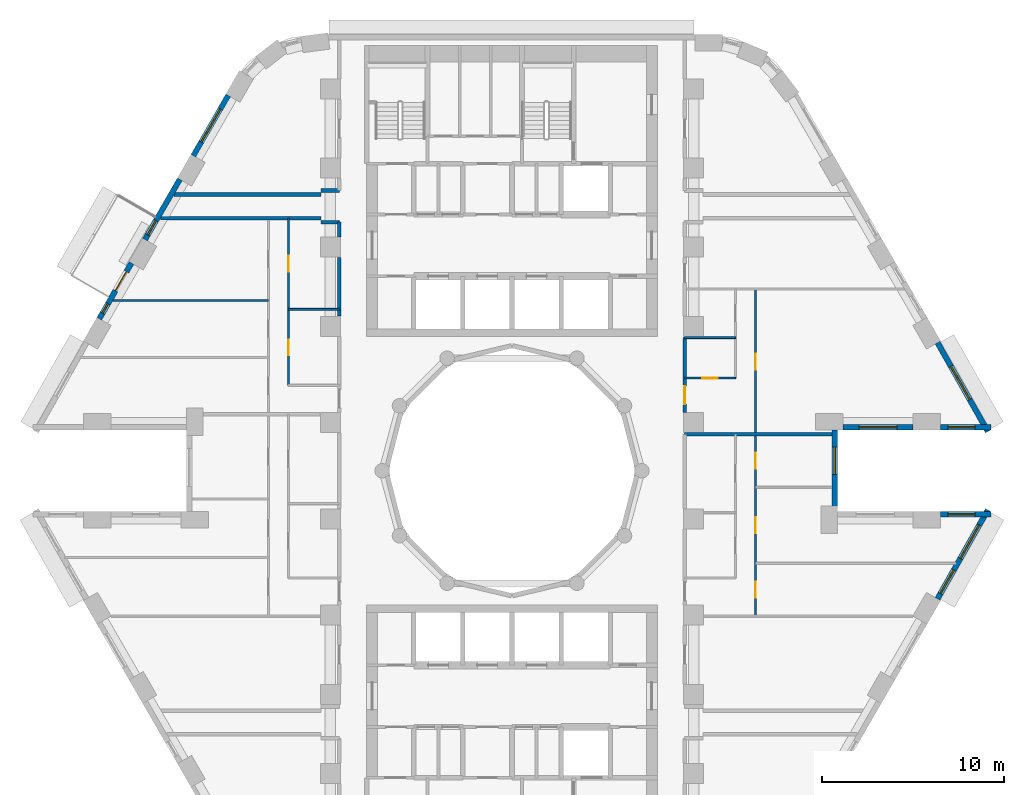
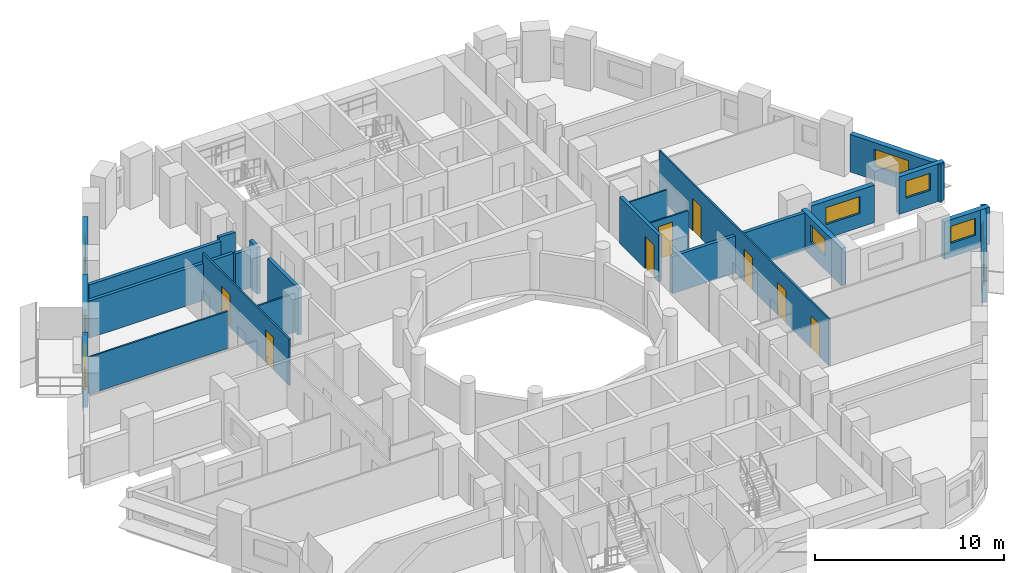
# One storey, part 6 of 13: 23 walls, 10 windows, 9 doors, 19 openings.
"""IFC4 building model written with IfcOpenShell, lengths in metres."""

from ifc_helpers import new_model, si_unit, direction, frame, frame_2d, origin, place, context, subcontext, project, spatial, rectangle, extrude, material, layer, layer_set, type_object, element, fill, save


model = new_model("IFC4")

# Units and contexts
model_context = context("Model", 3, precision=1e-05, world=origin(), true_north=direction((0.0, 1.0)))
body_context = subcontext(model_context, "Body", "Model", "MODEL_VIEW")
ifc_project = project(units=[si_unit("LENGTHUNIT", "METRE"), si_unit("AREAUNIT", "SQUARE_METRE"), si_unit("VOLUMEUNIT", "CUBIC_METRE"), si_unit("PLANEANGLEUNIT", "RADIAN"), si_unit("MASSUNIT", "GRAM", prefix="KILO")], contexts=[model_context])

# Site, building, storey
site_placement = place(None, origin())
site = spatial("IfcSite", under=ifc_project, at=site_placement, CompositionType="ELEMENT")
building_placement = place(site_placement, origin())
building = spatial("IfcBuilding", under=site, at=building_placement, Name="Nakaniwa Court", CompositionType="ELEMENT")
storey_placement = place(building_placement, frame((0.0, 0.0, 41.39990234375)))
storey = spatial("IfcBuildingStorey", under=building, at=storey_placement, Name="L10", CompositionType="ELEMENT", Elevation=41.39990234375)

# Wall, opening, door
ifc_material_1 = material(Name="Acoustic double stud partition")
ifc_layer_1 = layer(ifc_material_1, 0.199951171875)
ifc_layer_set_1 = layer_set([ifc_layer_1], Name="Acoustic double stud partition")
wall_type_1 = type_object("IfcWallType", Name="Acoustic double stud partition 200", PredefinedType="PARTITIONING", material=ifc_layer_set_1)
wall_1_placement = place(storey_placement, frame((89.5, 87.330322265625, 0.0), z_axis=(0.0, 0.0, 1.0), x_axis=(0.0, -1.0, 0.0)))
wall_1 = element("IfcWall", 1, at=wall_1_placement, inside=storey, type_object=wall_type_1, Name="Partition PW-079", PredefinedType="PARTITIONING", context=body_context, shape_type="SweptSolid", body=[
    extrude(rectangle(XDim=4.11328125, YDim=0.199951171875, at=frame_2d((2.056640625, 0.0))), origin(), (0.0, 0.0, 1.0), 3.025146484375),
])
opening_1_placement = place(wall_1_placement, frame((2.669921875, 0.0, 0.0)))
opening_1 = element("IfcOpeningElement", 2, at=opening_1_placement, cuts=wall_1, Name="Opening D-01-02", PredefinedType="OPENING", context=body_context, shape_type="SweptSolid", body=[
    extrude(rectangle(XDim=1.0, YDim=2.10009765625, at=frame_2d((0.5, 1.050048828125))), frame((0.0, 0.10986328125, 0.0), z_axis=(0.0, -1.0, 0.0), x_axis=(1.0, 0.0, 0.0)), (0.0, 0.0, 1.0), 0.219970703125),
])
ifc_material_2 = material(Name="Solid core timber door set, black veneer", Category="wood")
door_type_1 = type_object("IfcDoorType", Name="Flat entrance door 1000", OperationType="NOTDEFINED", PredefinedType="DOOR", material=ifc_material_2)
door_1_placement = place(opening_1_placement, origin())
door_1 = element("IfcDoor", 3, at=door_1_placement, inside=storey, type_object=door_type_1, Name="Door D-01-02 L10-038", OperationType="SINGLE_SWING_LEFT", OverallHeight=2.10009765625, OverallWidth=1.0, PredefinedType="DOOR", context=body_context, shape_type="SweptSolid", body=[
    extrude(rectangle(XDim=1.0, YDim=2.10009765625, at=frame_2d((0.5, 1.050048828125))), frame((0.0, 0.02490234375, 0.0), z_axis=(0.0, -1.0, 0.0), x_axis=(1.0, 0.0, 0.0)), (0.0, 0.0, 1.0), 0.050048828125),
])
fill(opening_1, door_1)

# Walls
wall_2_placement = place(storey_placement, frame((69.5, 95.425048828125, 0.0), z_axis=(0.0, 0.0, 1.0), x_axis=(1.0, 0.0, 0.0)))
element("IfcWall", 4, at=wall_2_placement, inside=storey, type_object=wall_type_1, Name="Partition PW-085", PredefinedType="PARTITIONING", context=body_context, shape_type="SweptSolid", body=[
    extrude(rectangle(XDim=1.0, YDim=0.199951171875, at=frame_2d((0.5, 0.0))), origin(), (0.0, 0.0, 1.0), 2.505126953125),
])
wall_3_placement = place(storey_placement, frame((61.4091796875, 95.199951171875, 0.0), z_axis=(0.0, 0.0, 1.0), x_axis=(1.0, 0.0, 0.0)))
element("IfcWall", 5, at=wall_3_placement, inside=storey, type_object=wall_type_1, Name="Partition PW-087", PredefinedType="PARTITIONING", context=body_context, shape_type="SweptSolid", body=[
    extrude(rectangle(XDim=8.0908203125, YDim=0.199951171875, at=frame_2d((4.04541015625, 0.0))), origin(), (0.0, 0.0, 1.0), 2.405029296875),
])
wall_4_placement = place(storey_placement, frame((60.65869140625, 93.89990234375, 0.0), z_axis=(0.0, 0.0, 1.0), x_axis=(1.0, 0.0, 0.0)))
element("IfcWall", 6, at=wall_4_placement, inside=storey, type_object=wall_type_1, Name="Partition PW-089", PredefinedType="PARTITIONING", context=body_context, shape_type="SweptSolid", body=[
    extrude(rectangle(XDim=8.84130859375, YDim=0.199951171875, at=frame_2d((4.420654296875, 0.0))), origin(), (0.0, 0.0, 1.0), 2.405029296875),
])
wall_5_placement = place(storey_placement, frame((69.5, 93.675048828125, 0.0), z_axis=(0.0, 0.0, 1.0), x_axis=(1.0, 0.0, 0.0)))
element("IfcWall", 7, at=wall_5_placement, inside=storey, type_object=wall_type_1, Name="Partition PW-091", PredefinedType="PARTITIONING", context=body_context, shape_type="SweptSolid", body=[
    extrude(rectangle(XDim=1.0, YDim=0.199951171875, at=frame_2d((0.5, 0.0))), origin(), (0.0, 0.0, 1.0), 2.505126953125),
])
wall_6_placement = place(storey_placement, frame((70.5, 88.51708984375, 0.0), z_axis=(0.0, 0.0, 1.0), x_axis=(0.0, 1.0, 0.0)))
element("IfcWall", 8, at=wall_6_placement, inside=storey, type_object=wall_type_1, Name="Partition PW-108", PredefinedType="PARTITIONING", context=body_context, shape_type="SweptSolid", body=[
    extrude(rectangle(XDim=3.2158203125, YDim=0.199951171875, at=frame_2d((1.60791015625, 0.0))), origin(), (0.0, 0.0, 1.0), 3.025146484375),
])
wall_7_placement = place(storey_placement, frame((70.5, 92.866943359375, 0.0), z_axis=(0.0, 0.0, 1.0), x_axis=(0.0, 1.0, 0.0)))
element("IfcWall", 9, at=wall_7_placement, inside=storey, type_object=wall_type_1, Name="Partition PW-109", PredefinedType="PARTITIONING", context=body_context, shape_type="SweptSolid", body=[
    extrude(rectangle(XDim=0.81103515625, YDim=0.199951171875, at=frame_2d((0.405517578125, 0.0))), origin(), (0.0, 0.0, 1.0), 3.025146484375),
])
wall_8_placement = place(storey_placement, frame((89.5, 82.0, 0.0), z_axis=(0.0, 0.0, 1.0), x_axis=(1.0, 0.0, 0.0)))
element("IfcWall", 10, at=wall_8_placement, inside=storey, type_object=wall_type_1, Name="Partition PW-118", PredefinedType="PARTITIONING", context=body_context, shape_type="SweptSolid", body=[
    extrude(rectangle(XDim=8.1083984375, YDim=0.199951171875, at=frame_2d((4.05419921875, 0.0))), origin(), (0.0, 0.0, 1.0), 2.405029296875),
])

# Wall, opening, window
ifc_material_3 = material(Name="Charcoal ceramic cladding")
ifc_layer_2 = layer(ifc_material_3, 0.02, Name="Ceramic cladding")
ifc_material_4 = material(Name="Ventilated air cavity")
ifc_layer_3 = layer(ifc_material_4, 0.04, ventilated=True, Name="Ventilated cavity")
ifc_material_5 = material(Name="Mineral wool insulation")
ifc_layer_4 = layer(ifc_material_5, 0.1, Name="Insulation")
ifc_material_6 = material(Name="Cement bonded sheathing board")
ifc_layer_5 = layer(ifc_material_6, 0.012, Name="Sheathing")
ifc_material_7 = material(Name="Cold-formed galvanised stud frame with mineral wool infill")
ifc_layer_6 = layer(ifc_material_7, 0.1, Name="Stud frame")
ifc_material_8 = material(Name="Fire-rated gypsum plasterboard lining")
ifc_layer_7 = layer(ifc_material_8, 0.028, Name="Lining")
ifc_layer_set_2 = layer_set([ifc_layer_2, ifc_layer_3, ifc_layer_4, ifc_layer_5, ifc_layer_6, ifc_layer_7], Name="Charcoal ceramic faced external wall system")
wall_type_2 = type_object("IfcWallType", Name="Black ceramic faced external wall 300", PredefinedType="SOLIDWALL", material=ifc_layer_set_2)
wall_9_placement = place(storey_placement, frame((98.204345703125, 82.39990234375, 0.0), z_axis=(0.0, 0.0, 1.0), x_axis=(1.0, 0.0, 0.0)))
wall_9 = element("IfcWall", 11, at=wall_9_placement, inside=storey, type_object=wall_type_2, Name="L10 external wall 00", PredefinedType="SOLIDWALL", context=body_context, shape_type="SweptSolid", body=[
    extrude(rectangle(XDim=3.87255859375, YDim=0.300048828125, at=frame_2d((1.936279296875, 0.0))), origin(), (0.0, 0.0, 1.0), 2.425048828125),
])
opening_2_placement = place(wall_9_placement, frame((0.88623046875, 0.0, 0.89990234375)))
opening_2 = element("IfcOpeningElement", 12, at=opening_2_placement, cuts=wall_9, Name="Opening W7.01", PredefinedType="OPENING", context=body_context, shape_type="SweptSolid", body=[
    extrude(rectangle(XDim=2.10009765625, YDim=1.10009765625, at=frame_2d((1.050048828125, 0.550048828125))), frame((0.0, 0.159912109375, 0.0), z_axis=(0.0, -1.0, 0.0), x_axis=(1.0, 0.0, 0.0)), (0.0, 0.0, 1.0), 0.320068359375),
])
ifc_material_9 = material(Name="Black anodised aluminium frame with dark low-E laminated double glazing", Category="aluminium")
window_type_1 = type_object("IfcWindowType", Name="Dark glass window 2100x1100 sill 900", PartitioningType="SINGLE_PANEL", PredefinedType="WINDOW", material=ifc_material_9)
window_1_placement = place(opening_2_placement, origin())
window_1 = element("IfcWindow", 13, at=window_1_placement, inside=storey, type_object=window_type_1, Name="L10 living window 00-0", OverallHeight=1.10009765625, OverallWidth=2.10009765625, PartitioningType="SINGLE_PANEL", PredefinedType="WINDOW", context=body_context, shape_type="SweptSolid", body=[
    extrude(rectangle(XDim=2.10009765625, YDim=1.10009765625, at=frame_2d((1.050048828125, 0.550048828125))), frame((0.0, 0.030029296875, 0.0), z_axis=(0.0, -1.0, 0.0), x_axis=(1.0, 0.0, 0.0)), (0.0, 0.0, 1.0), 0.06005859375),
])
fill(opening_2, window_1)

wall_10_placement = place(storey_placement, frame((103.56884765625, 82.39990234375, 0.0), z_axis=(0.0, 0.0, 1.0), x_axis=(1.0, 0.0, 0.0)))
wall_10 = element("IfcWall", 14, at=wall_10_placement, inside=storey, type_object=wall_type_2, Name="L10 external wall 01", PredefinedType="SOLIDWALL", context=body_context, shape_type="SweptSolid", body=[
    extrude(rectangle(XDim=2.787841796875, YDim=0.300048828125, at=frame_2d((1.39404296875, 0.0))), origin(), (0.0, 0.0, 1.0), 2.425048828125),
])
opening_3_placement = place(wall_10_placement, frame((0.4189453125, 0.0, 0.89990234375)))
opening_3 = element("IfcOpeningElement", 15, at=opening_3_placement, cuts=wall_10, Name="Opening W5.02", PredefinedType="OPENING", context=body_context, shape_type="SweptSolid", body=[
    extrude(rectangle(XDim=1.5, YDim=1.10009765625, at=frame_2d((0.75, 0.550048828125))), frame((0.0, 0.159912109375, 0.0), z_axis=(0.0, -1.0, 0.0), x_axis=(1.0, 0.0, 0.0)), (0.0, 0.0, 1.0), 0.320068359375),
])
window_type_2 = type_object("IfcWindowType", Name="Dark glass window 1500x1100 sill 900", PartitioningType="SINGLE_PANEL", PredefinedType="WINDOW", material=ifc_material_9)
window_2_placement = place(opening_3_placement, origin())
window_2 = element("IfcWindow", 16, at=window_2_placement, inside=storey, type_object=window_type_2, Name="L10 living window 01-0", OverallHeight=1.10009765625, OverallWidth=1.5, PartitioningType="SINGLE_PANEL", PredefinedType="WINDOW", context=body_context, shape_type="SweptSolid", body=[
    extrude(rectangle(XDim=1.5, YDim=1.10009765625, at=frame_2d((0.75, 0.550048828125))), frame((0.0, 0.030029296875, 0.0), z_axis=(0.0, -1.0, 0.0), x_axis=(1.0, 0.0, 0.0)), (0.0, 0.0, 1.0), 0.06005859375),
])
fill(opening_3, window_2)

wall_11_placement = place(storey_placement, frame((106.18603515625, 82.1533203125, 0.0), z_axis=(0.0, 0.0, 1.0), x_axis=(-0.492363204642, 0.870389840655, 0.0)))
wall_11 = element("IfcWall", 17, at=wall_11_placement, inside=storey, type_object=wall_type_2, Name="L10 external wall 02", PredefinedType="SOLIDWALL", context=body_context, shape_type="SweptSolid", body=[
    extrude(rectangle(XDim=5.62646484375, YDim=0.300048828125, at=frame_2d((2.813232421875, 0.0))), origin(), (0.0, 0.0, 1.0), 2.425048828125),
])
opening_4_placement = place(wall_11_placement, frame((2.0263671875, 0.0, 0.89990234375)))
opening_4 = element("IfcOpeningElement", 18, at=opening_4_placement, cuts=wall_11, Name="Opening W7.03", PredefinedType="OPENING", context=body_context, shape_type="SweptSolid", body=[
    extrude(rectangle(XDim=2.10009765625, YDim=1.10009765625, at=frame_2d((1.050048828125, 0.550048828125))), frame((0.0, 0.159912109375, 0.0), z_axis=(0.0, -1.0, 0.0), x_axis=(1.0, 0.0, 0.0)), (0.0, 0.0, 1.0), 0.320068359375),
])
window_3_placement = place(opening_4_placement, origin())
window_3 = element("IfcWindow", 19, at=window_3_placement, inside=storey, type_object=window_type_1, Name="L10 living window 02-0", OverallHeight=1.10009765625, OverallWidth=2.10009765625, PartitioningType="SINGLE_PANEL", PredefinedType="WINDOW", context=body_context, shape_type="SweptSolid", body=[
    extrude(rectangle(XDim=2.10009765625, YDim=1.10009765625, at=frame_2d((1.050048828125, 0.550048828125))), frame((0.0, 0.030029296875, 0.0), z_axis=(0.0, -1.0, 0.0), x_axis=(1.0, 0.0, 0.0)), (0.0, 0.0, 1.0), 0.06005859375),
])
fill(opening_4, window_3)

wall_12_placement = place(storey_placement, frame((64.384765625, 100.653564453125, 0.0), z_axis=(0.0, 0.0, 1.0), x_axis=(-0.499974163209, -0.866040320149, 0.0)))
wall_12 = element("IfcWall", 20, at=wall_12_placement, inside=storey, type_object=wall_type_2, Name="L10 external wall 11", PredefinedType="SOLIDWALL", context=body_context, shape_type="SweptSolid", body=[
    extrude(rectangle(XDim=3.834228515625, YDim=0.300048828125, at=frame_2d((1.9169921875, 0.0))), origin(), (0.0, 0.0, 1.0), 2.425048828125),
])
opening_5_placement = place(wall_12_placement, frame((0.866943359375, 0.0, 0.89990234375)))
opening_5 = element("IfcOpeningElement", 21, at=opening_5_placement, cuts=wall_12, Name="Opening W7.12", PredefinedType="OPENING", context=body_context, shape_type="SweptSolid", body=[
    extrude(rectangle(XDim=2.10009765625, YDim=1.10009765625, at=frame_2d((1.050048828125, 0.550048828125))), frame((0.0, 0.159912109375, 0.0), z_axis=(0.0, -1.0, 0.0), x_axis=(1.0, 0.0, 0.0)), (0.0, 0.0, 1.0), 0.320068359375),
])
window_4_placement = place(opening_5_placement, origin())
window_4 = element("IfcWindow", 22, at=window_4_placement, inside=storey, type_object=window_type_1, Name="L10 habitable room window 11-0", OverallHeight=1.10009765625, OverallWidth=2.10009765625, PartitioningType="SINGLE_PANEL", PredefinedType="WINDOW", context=body_context, shape_type="SweptSolid", body=[
    extrude(rectangle(XDim=2.10009765625, YDim=1.10009765625, at=frame_2d((1.050048828125, 0.550048828125))), frame((0.0, 0.030029296875, 0.0), z_axis=(0.0, -1.0, 0.0), x_axis=(1.0, 0.0, 0.0)), (0.0, 0.0, 1.0), 0.06005859375),
])
fill(opening_5, window_4)

wall_13_placement = place(storey_placement, frame((61.7216796875, 96.041015625, 0.0), z_axis=(0.0, 0.0, 1.0), x_axis=(-0.500001735503, -0.866024401789, 0.0)))
wall_13 = element("IfcWall", 23, at=wall_13_placement, inside=storey, type_object=wall_type_2, Name="L10 external wall 12", PredefinedType="SOLIDWALL", context=body_context, shape_type="SweptSolid", body=[
    extrude(rectangle(XDim=3.833984375, YDim=0.300048828125, at=frame_2d((1.9169921875, 0.0))), origin(), (0.0, 0.0, 1.0), 2.425048828125),
])
opening_6_placement = place(wall_13_placement, frame((2.629150390625, 0.0, 0.89990234375)))
opening_6 = element("IfcOpeningElement", 24, at=opening_6_placement, cuts=wall_13, Name="Opening W9.13", PredefinedType="OPENING", context=body_context, shape_type="SweptSolid", body=[
    extrude(rectangle(XDim=0.89990234375, YDim=1.10009765625, at=frame_2d((0.449951171875, 0.550048828125))), frame((0.0, 0.159912109375, 0.0), z_axis=(0.0, -1.0, 0.0), x_axis=(1.0, 0.0, 0.0)), (0.0, 0.0, 1.0), 0.320068359375),
])
window_type_3 = type_object("IfcWindowType", Name="Dark glass window 900x1100 sill 900", PartitioningType="SINGLE_PANEL", PredefinedType="WINDOW", material=ifc_material_9)
window_5_placement = place(opening_6_placement, origin())
window_5 = element("IfcWindow", 25, at=window_5_placement, inside=storey, type_object=window_type_3, Name="L10 living window 12-2", OverallHeight=1.10009765625, OverallWidth=0.89990234375, PartitioningType="SINGLE_PANEL", PredefinedType="WINDOW", context=body_context, shape_type="SweptSolid", body=[
    extrude(rectangle(XDim=0.89990234375, YDim=1.10009765625, at=frame_2d((0.449951171875, 0.550048828125))), frame((0.0, 0.030029296875, 0.0), z_axis=(0.0, -1.0, 0.0), x_axis=(1.0, 0.0, 0.0)), (0.0, 0.0, 1.0), 0.06005859375),
])
fill(opening_6, window_5)

# Wall, openings, door, window
wall_14_placement = place(storey_placement, frame((59.05859375, 91.4287109375, 0.0), z_axis=(0.0, 0.0, 1.0), x_axis=(-0.499977402622, -0.866038449993, 0.0)))
wall_14 = element("IfcWall", 26, at=wall_14_placement, inside=storey, type_object=wall_type_2, Name="L10 external wall 13", PredefinedType="SOLIDWALL", context=body_context, shape_type="SweptSolid", body=[
    extrude(rectangle(XDim=3.536865234375, YDim=0.300048828125, at=frame_2d((1.7685546875, 0.0))), origin(), (0.0, 0.0, 1.0), 2.425048828125),
])
opening_7_placement = place(wall_14_placement, frame((0.55078125, 0.0, 0.0)))
opening_7 = element("IfcOpeningElement", 27, at=opening_7_placement, cuts=wall_14, Name="Opening XD10.01", PredefinedType="OPENING", context=body_context, shape_type="SweptSolid", body=[
    extrude(rectangle(XDim=1.199951171875, YDim=2.0, at=frame_2d((0.60009765625, 1.0))), frame((0.0, 0.159912109375, 0.0), z_axis=(0.0, -1.0, 0.0), x_axis=(1.0, 0.0, 0.0)), (0.0, 0.0, 1.0), 0.320068359375),
])
opening_8_placement = place(wall_14_placement, frame((2.582275390625, 0.0, 0.89990234375)))
opening_8 = element("IfcOpeningElement", 28, at=opening_8_placement, cuts=wall_14, Name="Opening W8.14", PredefinedType="OPENING", context=body_context, shape_type="SweptSolid", body=[
    extrude(rectangle(XDim=0.60009765625, YDim=1.10009765625, at=frame_2d((0.300048828125, 0.550048828125))), frame((0.0, 0.159912109375, 0.0), z_axis=(0.0, -1.0, 0.0), x_axis=(1.0, 0.0, 0.0)), (0.0, 0.0, 1.0), 0.320068359375),
])
ifc_material_10 = material(Name="Black powder-coated aluminium frame with dark laminated glass", Category="aluminium")
door_type_2 = type_object("IfcDoorType", Name="Balcony sliding door 1200x2000", OperationType="SLIDING_TO_LEFT", PredefinedType="DOOR", material=ifc_material_10)
door_2_placement = place(opening_7_placement, origin())
door_2 = element("IfcDoor", 29, at=door_2_placement, inside=storey, type_object=door_type_2, Name="L10 balcony sliding door 01", OperationType="SLIDING_TO_LEFT", OverallHeight=2.0, OverallWidth=1.199951171875, PredefinedType="DOOR", context=body_context, shape_type="SweptSolid", body=[
    extrude(rectangle(XDim=1.199951171875, YDim=2.0, at=frame_2d((0.60009765625, 1.0))), frame((0.0, 0.02490234375, 0.0), z_axis=(0.0, -1.0, 0.0), x_axis=(1.0, 0.0, 0.0)), (0.0, 0.0, 1.0), 0.050048828125),
])
fill(opening_7, door_2)
window_type_4 = type_object("IfcWindowType", Name="Dark glass window 600x1100 sill 900", PartitioningType="SINGLE_PANEL", PredefinedType="WINDOW", material=ifc_material_9)
window_6_placement = place(opening_8_placement, origin())
window_6 = element("IfcWindow", 30, at=window_6_placement, inside=storey, type_object=window_type_4, Name="L10 bedroom window 13-1", OverallHeight=1.10009765625, OverallWidth=0.60009765625, PartitioningType="SINGLE_PANEL", PredefinedType="WINDOW", context=body_context, shape_type="SweptSolid", body=[
    extrude(rectangle(XDim=0.60009765625, YDim=1.10009765625, at=frame_2d((0.300048828125, 0.550048828125))), frame((0.0, 0.030029296875, 0.0), z_axis=(0.0, -1.0, 0.0), x_axis=(1.0, 0.0, 0.0)), (0.0, 0.0, 1.0), 0.06005859375),
])
fill(opening_8, window_6)

# Wall, openings, windows
wall_15_placement = place(storey_placement, frame((103.415771484375, 72.949462890625, 0.0), z_axis=(0.0, 0.0, 1.0), x_axis=(0.492363204642, 0.870389840655, 0.0)))
wall_15 = element("IfcWall", 31, at=wall_15_placement, inside=storey, type_object=wall_type_2, Name="L10 external wall 32", PredefinedType="SOLIDWALL", context=body_context, shape_type="SweptSolid", body=[
    extrude(rectangle(XDim=5.62646484375, YDim=0.300048828125, at=frame_2d((2.813232421875, 0.0))), origin(), (0.0, 0.0, 1.0), 2.425048828125),
])
opening_9_placement = place(wall_15_placement, frame((0.337158203125, 0.0, 0.89990234375)))
opening_9 = element("IfcOpeningElement", 32, at=opening_9_placement, cuts=wall_15, Name="Opening W5.31", PredefinedType="OPENING", context=body_context, shape_type="SweptSolid", body=[
    extrude(rectangle(XDim=1.5, YDim=1.10009765625, at=frame_2d((0.75, 0.550048828125))), frame((0.0, 0.159912109375, 0.0), z_axis=(0.0, -1.0, 0.0), x_axis=(1.0, 0.0, 0.0)), (0.0, 0.0, 1.0), 0.320068359375),
])
opening_10_placement = place(wall_15_placement, frame((2.5615234375, 0.0, 0.89990234375)))
opening_10 = element("IfcOpeningElement", 33, at=opening_10_placement, cuts=wall_15, Name="Opening W7.32", PredefinedType="OPENING", context=body_context, shape_type="SweptSolid", body=[
    extrude(rectangle(XDim=2.10009765625, YDim=1.10009765625, at=frame_2d((1.050048828125, 0.550048828125))), frame((0.0, 0.159912109375, 0.0), z_axis=(0.0, -1.0, 0.0), x_axis=(1.0, 0.0, 0.0)), (0.0, 0.0, 1.0), 0.320068359375),
])
window_7_placement = place(opening_9_placement, origin())
window_7 = element("IfcWindow", 34, at=window_7_placement, inside=storey, type_object=window_type_2, Name="L10 bedroom window 32-0", OverallHeight=1.10009765625, OverallWidth=1.5, PartitioningType="SINGLE_PANEL", PredefinedType="WINDOW", context=body_context, shape_type="SweptSolid", body=[
    extrude(rectangle(XDim=1.5, YDim=1.10009765625, at=frame_2d((0.75, 0.550048828125))), frame((0.0, 0.030029296875, 0.0), z_axis=(0.0, -1.0, 0.0), x_axis=(1.0, 0.0, 0.0)), (0.0, 0.0, 1.0), 0.06005859375),
])
fill(opening_9, window_7)
window_8_placement = place(opening_10_placement, origin())
window_8 = element("IfcWindow", 35, at=window_8_placement, inside=storey, type_object=window_type_1, Name="L10 living window 32-1", OverallHeight=1.10009765625, OverallWidth=2.10009765625, PartitioningType="SINGLE_PANEL", PredefinedType="WINDOW", context=body_context, shape_type="SweptSolid", body=[
    extrude(rectangle(XDim=2.10009765625, YDim=1.10009765625, at=frame_2d((1.050048828125, 0.550048828125))), frame((0.0, 0.030029296875, 0.0), z_axis=(0.0, -1.0, 0.0), x_axis=(1.0, 0.0, 0.0)), (0.0, 0.0, 1.0), 0.06005859375),
])
fill(opening_10, window_8)

# Wall, opening, window
wall_16_placement = place(storey_placement, frame((106.356689453125, 77.60009765625, 0.0), z_axis=(0.0, 0.0, 1.0), x_axis=(-1.0, 0.0, 0.0)))
wall_16 = element("IfcWall", 36, at=wall_16_placement, inside=storey, type_object=wall_type_2, Name="L10 external wall 33", PredefinedType="SOLIDWALL", context=body_context, shape_type="SweptSolid", body=[
    extrude(rectangle(XDim=2.787841796875, YDim=0.300048828125, at=frame_2d((1.39404296875, 0.0))), origin(), (0.0, 0.0, 1.0), 2.425048828125),
])
opening_11_placement = place(wall_16_placement, frame((0.868896484375, 0.0, 0.89990234375)))
opening_11 = element("IfcOpeningElement", 37, at=opening_11_placement, cuts=wall_16, Name="Opening W5.33", PredefinedType="OPENING", context=body_context, shape_type="SweptSolid", body=[
    extrude(rectangle(XDim=1.5, YDim=1.10009765625, at=frame_2d((0.75, 0.550048828125))), frame((0.0, 0.159912109375, 0.0), z_axis=(0.0, -1.0, 0.0), x_axis=(1.0, 0.0, 0.0)), (0.0, 0.0, 1.0), 0.320068359375),
])
window_9_placement = place(opening_11_placement, origin())
window_9 = element("IfcWindow", 38, at=window_9_placement, inside=storey, type_object=window_type_2, Name="L10 living window 33-0", OverallHeight=1.10009765625, OverallWidth=1.5, PartitioningType="SINGLE_PANEL", PredefinedType="WINDOW", context=body_context, shape_type="SweptSolid", body=[
    extrude(rectangle(XDim=1.5, YDim=1.10009765625, at=frame_2d((0.75, 0.550048828125))), frame((0.0, 0.030029296875, 0.0), z_axis=(0.0, -1.0, 0.0), x_axis=(1.0, 0.0, 0.0)), (0.0, 0.0, 1.0), 0.06005859375),
])
fill(opening_11, window_9)

wall_17_placement = place(storey_placement, frame((97.75830078125, 78.0458984375, 0.0), z_axis=(0.0, 0.0, 1.0), x_axis=(0.0, 1.0, 0.0)))
wall_17 = element("IfcWall", 39, at=wall_17_placement, inside=storey, type_object=wall_type_2, Name="L10 external wall 35", PredefinedType="SOLIDWALL", context=body_context, shape_type="SweptSolid", body=[
    extrude(rectangle(XDim=4.2080078125, YDim=0.300048828125, at=frame_2d((2.10400390625, 0.0))), origin(), (0.0, 0.0, 1.0), 2.425048828125),
])
opening_12_placement = place(wall_17_placement, frame((1.75244140625, 0.0, 0.89990234375)))
opening_12 = element("IfcOpeningElement", 40, at=opening_12_placement, cuts=wall_17, Name="Opening W5.35", PredefinedType="OPENING", context=body_context, shape_type="SweptSolid", body=[
    extrude(rectangle(XDim=1.5, YDim=1.10009765625, at=frame_2d((0.75, 0.550048828125))), frame((0.0, 0.159912109375, 0.0), z_axis=(0.0, -1.0, 0.0), x_axis=(1.0, 0.0, 0.0)), (0.0, 0.0, 1.0), 0.320068359375),
])
window_10_placement = place(opening_12_placement, origin())
window_10 = element("IfcWindow", 41, at=window_10_placement, inside=storey, type_object=window_type_2, Name="L10 bedroom window 35-1", OverallHeight=1.10009765625, OverallWidth=1.5, PartitioningType="SINGLE_PANEL", PredefinedType="WINDOW", context=body_context, shape_type="SweptSolid", body=[
    extrude(rectangle(XDim=1.5, YDim=1.10009765625, at=frame_2d((0.75, 0.550048828125))), frame((0.0, 0.030029296875, 0.0), z_axis=(0.0, -1.0, 0.0), x_axis=(1.0, 0.0, 0.0)), (0.0, 0.0, 1.0), 0.06005859375),
])
fill(opening_12, window_10)

# Wall, openings, doors
ifc_material_11 = material(Name="Single stud plasterboard partition")
ifc_layer_8 = layer(ifc_material_11, 0.10009765625)
ifc_layer_set_3 = layer_set([ifc_layer_8], Name="Single stud plasterboard partition")
wall_type_3 = type_object("IfcWallType", Name="Single stud plasterboard partition 100", PredefinedType="PARTITIONING", material=ifc_layer_set_3)
wall_18_placement = place(storey_placement, frame((93.39990234375, 90.0, 0.0), z_axis=(0.0, 0.0, 1.0), x_axis=(0.0, -1.0, 0.0)))
wall_18 = element("IfcWall", 42, at=wall_18_placement, inside=storey, type_object=wall_type_3, Name="Partition PW-119", PredefinedType="PARTITIONING", context=body_context, shape_type="SweptSolid", body=[
    extrude(rectangle(XDim=18.0, YDim=0.10009765625, at=frame_2d((9.0, 0.0))), origin(), (0.0, 0.0, 1.0), 3.025146484375),
])
opening_13_placement = place(wall_18_placement, frame((16.097900390625, 0.0, 0.0)))
opening_13 = element("IfcOpeningElement", 43, at=opening_13_placement, cuts=wall_18, Name="Opening D-33-02", PredefinedType="OPENING", context=body_context, shape_type="SweptSolid", body=[
    extrude(rectangle(XDim=0.89990234375, YDim=2.10009765625, at=frame_2d((0.449951171875, 1.050048828125))), frame((0.0, 0.06005859375, 0.0), z_axis=(0.0, -1.0, 0.0), x_axis=(1.0, 0.0, 0.0)), (0.0, 0.0, 1.0), 0.1201171875),
])
opening_14_placement = place(wall_18_placement, frame((12.550048828125, 0.0, 0.0)))
opening_14 = element("IfcOpeningElement", 44, at=opening_14_placement, cuts=wall_18, Name="Opening D-33-03", PredefinedType="OPENING", context=body_context, shape_type="SweptSolid", body=[
    extrude(rectangle(XDim=0.89990234375, YDim=2.10009765625, at=frame_2d((0.449951171875, 1.050048828125))), frame((0.0, 0.06005859375, 0.0), z_axis=(0.0, -1.0, 0.0), x_axis=(1.0, 0.0, 0.0)), (0.0, 0.0, 1.0), 0.1201171875),
])
opening_15_placement = place(wall_18_placement, frame((9.001953125, 0.0, 0.0)))
opening_15 = element("IfcOpeningElement", 45, at=opening_15_placement, cuts=wall_18, Name="Opening D-33-04", PredefinedType="OPENING", context=body_context, shape_type="SweptSolid", body=[
    extrude(rectangle(XDim=0.89990234375, YDim=2.10009765625, at=frame_2d((0.449951171875, 1.050048828125))), frame((0.0, 0.06005859375, 0.0), z_axis=(0.0, -1.0, 0.0), x_axis=(1.0, 0.0, 0.0)), (0.0, 0.0, 1.0), 0.1201171875),
])
opening_16_placement = place(wall_18_placement, frame((3.550048828125, 0.0, 0.0)))
opening_16 = element("IfcOpeningElement", 46, at=opening_16_placement, cuts=wall_18, Name="Opening D-33-06", PredefinedType="OPENING", context=body_context, shape_type="SweptSolid", body=[
    extrude(rectangle(XDim=0.89990234375, YDim=2.10009765625, at=frame_2d((0.449951171875, 1.050048828125))), frame((0.0, 0.06005859375, 0.0), z_axis=(0.0, -1.0, 0.0), x_axis=(1.0, 0.0, 0.0)), (0.0, 0.0, 1.0), 0.1201171875),
])
door_type_3 = type_object("IfcDoorType", Name="Internal door 900", OperationType="NOTDEFINED", PredefinedType="DOOR", material=ifc_material_2)
door_3_placement = place(opening_13_placement, origin())
door_3 = element("IfcDoor", 47, at=door_3_placement, inside=storey, type_object=door_type_3, Name="Door D-33-02 L10-035", OperationType="SINGLE_SWING_RIGHT", OverallHeight=2.10009765625, OverallWidth=0.89990234375, PredefinedType="DOOR", context=body_context, shape_type="SweptSolid", body=[
    extrude(rectangle(XDim=0.89990234375, YDim=2.10009765625, at=frame_2d((0.449951171875, 1.050048828125))), frame((0.0, 0.02490234375, 0.0), z_axis=(0.0, -1.0, 0.0), x_axis=(1.0, 0.0, 0.0)), (0.0, 0.0, 1.0), 0.050048828125),
])
fill(opening_13, door_3)
door_4_placement = place(opening_14_placement, origin())
door_4 = element("IfcDoor", 48, at=door_4_placement, inside=storey, type_object=door_type_3, Name="Door D-33-03 L10-036", OperationType="SINGLE_SWING_LEFT", OverallHeight=2.10009765625, OverallWidth=0.89990234375, PredefinedType="DOOR", context=body_context, shape_type="SweptSolid", body=[
    extrude(rectangle(XDim=0.89990234375, YDim=2.10009765625, at=frame_2d((0.449951171875, 1.050048828125))), frame((0.0, 0.02490234375, 0.0), z_axis=(0.0, -1.0, 0.0), x_axis=(1.0, 0.0, 0.0)), (0.0, 0.0, 1.0), 0.050048828125),
])
fill(opening_14, door_4)
door_5_placement = place(opening_15_placement, origin())
door_5 = element("IfcDoor", 49, at=door_5_placement, inside=storey, type_object=door_type_3, Name="Door D-33-04 L10-037", OperationType="SINGLE_SWING_RIGHT", OverallHeight=2.10009765625, OverallWidth=0.89990234375, PredefinedType="DOOR", context=body_context, shape_type="SweptSolid", body=[
    extrude(rectangle(XDim=0.89990234375, YDim=2.10009765625, at=frame_2d((0.449951171875, 1.050048828125))), frame((0.0, 0.02490234375, 0.0), z_axis=(0.0, -1.0, 0.0), x_axis=(1.0, 0.0, 0.0)), (0.0, 0.0, 1.0), 0.050048828125),
])
fill(opening_15, door_5)
door_6_placement = place(opening_16_placement, origin())
door_6 = element("IfcDoor", 50, at=door_6_placement, inside=storey, type_object=door_type_3, Name="Door D-33-06 L10-041", OperationType="SINGLE_SWING_RIGHT", OverallHeight=2.10009765625, OverallWidth=0.89990234375, PredefinedType="DOOR", context=body_context, shape_type="SweptSolid", body=[
    extrude(rectangle(XDim=0.89990234375, YDim=2.10009765625, at=frame_2d((0.449951171875, 1.050048828125))), frame((0.0, 0.02490234375, 0.0), z_axis=(0.0, -1.0, 0.0), x_axis=(1.0, 0.0, 0.0)), (0.0, 0.0, 1.0), 0.050048828125),
])
fill(opening_16, door_6)

# Wall
wall_19_placement = place(storey_placement, frame((89.5, 87.326904296875, 0.0), z_axis=(0.0, 0.0, 1.0), x_axis=(1.0, 0.0, 0.0)))
element("IfcWall", 51, at=wall_19_placement, inside=storey, type_object=wall_type_3, Name="Partition PW-124", PredefinedType="PARTITIONING", context=body_context, shape_type="SweptSolid", body=[
    extrude(rectangle(XDim=2.800048828125, YDim=0.10009765625, at=frame_2d((1.39990234375, 0.0))), origin(), (0.0, 0.0, 1.0), 2.505126953125),
])

# Wall, opening, door
wall_20_placement = place(storey_placement, frame((89.5, 85.10009765625, 0.0), z_axis=(0.0, 0.0, 1.0), x_axis=(1.0, 0.0, 0.0)))
wall_20 = element("IfcWall", 52, at=wall_20_placement, inside=storey, type_object=wall_type_3, Name="Partition PW-125", PredefinedType="PARTITIONING", context=body_context, shape_type="SweptSolid", body=[
    extrude(rectangle(XDim=2.800048828125, YDim=0.10009765625, at=frame_2d((1.39990234375, 0.0))), origin(), (0.0, 0.0, 1.0), 2.505126953125),
])
opening_17_placement = place(wall_20_placement, frame((0.97509765625, 0.0, 0.0)))
opening_17 = element("IfcOpeningElement", 53, at=opening_17_placement, cuts=wall_20, Name="Opening D-03-02", PredefinedType="OPENING", context=body_context, shape_type="SweptSolid", body=[
    extrude(rectangle(XDim=0.85009765625, YDim=2.10009765625, at=frame_2d((0.425048828125, 1.050048828125))), frame((0.0, 0.06005859375, 0.0), z_axis=(0.0, -1.0, 0.0), x_axis=(1.0, 0.0, 0.0)), (0.0, 0.0, 1.0), 0.1201171875),
])
ifc_material_12 = material(Name="Moisture sealed timber door set", Category="wood")
door_type_4 = type_object("IfcDoorType", Name="Bathroom door 850", OperationType="NOTDEFINED", PredefinedType="DOOR", material=ifc_material_12)
door_7_placement = place(opening_17_placement, origin())
door_7 = element("IfcDoor", 54, at=door_7_placement, inside=storey, type_object=door_type_4, Name="Door D-03-02 L10-039", OperationType="SINGLE_SWING_RIGHT", OverallHeight=2.10009765625, OverallWidth=0.85009765625, PredefinedType="DOOR", context=body_context, shape_type="SweptSolid", body=[
    extrude(rectangle(XDim=0.85009765625, YDim=2.10009765625, at=frame_2d((0.425048828125, 1.050048828125))), frame((0.0, 0.02490234375, 0.0), z_axis=(0.0, -1.0, 0.0), x_axis=(1.0, 0.0, 0.0)), (0.0, 0.0, 1.0), 0.050048828125),
])
fill(opening_17, door_7)

# Wall, openings, doors
wall_21_placement = place(storey_placement, frame((67.699951171875, 93.89990234375, 0.0), z_axis=(0.0, 0.0, 1.0), x_axis=(0.0, -1.0, 0.0)))
wall_21 = element("IfcWall", 55, at=wall_21_placement, inside=storey, type_object=wall_type_3, Name="Partition PW-129", PredefinedType="PARTITIONING", context=body_context, shape_type="SweptSolid", body=[
    extrude(rectangle(XDim=9.199951171875, YDim=0.10009765625, at=frame_2d((4.60009765625, 0.0))), origin(), (0.0, 0.0, 1.0), 3.025146484375),
])
opening_18_placement = place(wall_21_placement, frame((6.68408203125, 0.0, 0.0)))
opening_18 = element("IfcOpeningElement", 56, at=opening_18_placement, cuts=wall_21, Name="Opening D-03-04", PredefinedType="OPENING", context=body_context, shape_type="SweptSolid", body=[
    extrude(rectangle(XDim=0.85009765625, YDim=2.10009765625, at=frame_2d((0.425048828125, 1.050048828125))), frame((0.0, 0.06005859375, 0.0), z_axis=(0.0, -1.0, 0.0), x_axis=(1.0, 0.0, 0.0)), (0.0, 0.0, 1.0), 0.1201171875),
])
opening_19_placement = place(wall_21_placement, frame((2.05908203125, 0.0, 0.0)))
opening_19 = element("IfcOpeningElement", 57, at=opening_19_placement, cuts=wall_21, Name="Opening D-33-11", PredefinedType="OPENING", context=body_context, shape_type="SweptSolid", body=[
    extrude(rectangle(XDim=0.89990234375, YDim=2.10009765625, at=frame_2d((0.449951171875, 1.050048828125))), frame((0.0, 0.06005859375, 0.0), z_axis=(0.0, -1.0, 0.0), x_axis=(1.0, 0.0, 0.0)), (0.0, 0.0, 1.0), 0.1201171875),
])
door_8_placement = place(opening_18_placement, origin())
door_8 = element("IfcDoor", 58, at=door_8_placement, inside=storey, type_object=door_type_4, Name="Door D-03-04 L10-051", OperationType="SINGLE_SWING_RIGHT", OverallHeight=2.10009765625, OverallWidth=0.85009765625, PredefinedType="DOOR", context=body_context, shape_type="SweptSolid", body=[
    extrude(rectangle(XDim=0.85009765625, YDim=2.10009765625, at=frame_2d((0.425048828125, 1.050048828125))), frame((0.0, 0.02490234375, 0.0), z_axis=(0.0, -1.0, 0.0), x_axis=(1.0, 0.0, 0.0)), (0.0, 0.0, 1.0), 0.050048828125),
])
fill(opening_18, door_8)
door_9_placement = place(opening_19_placement, origin())
door_9 = element("IfcDoor", 59, at=door_9_placement, inside=storey, type_object=door_type_3, Name="Door D-33-11 L10-052", OperationType="SINGLE_SWING_LEFT", OverallHeight=2.10009765625, OverallWidth=0.89990234375, PredefinedType="DOOR", context=body_context, shape_type="SweptSolid", body=[
    extrude(rectangle(XDim=0.89990234375, YDim=2.10009765625, at=frame_2d((0.449951171875, 1.050048828125))), frame((0.0, 0.02490234375, 0.0), z_axis=(0.0, -1.0, 0.0), x_axis=(1.0, 0.0, 0.0)), (0.0, 0.0, 1.0), 0.050048828125),
])
fill(opening_19, door_9)

# Walls
wall_22_placement = place(storey_placement, frame((67.699951171875, 88.882080078125, 0.0), z_axis=(0.0, 0.0, 1.0), x_axis=(1.0, 0.0, 0.0)))
element("IfcWall", 60, at=wall_22_placement, inside=storey, type_object=wall_type_3, Name="Partition PW-134", PredefinedType="PARTITIONING", context=body_context, shape_type="SweptSolid", body=[
    extrude(rectangle(XDim=2.800048828125, YDim=0.10009765625, at=frame_2d((1.39990234375, 0.0))), origin(), (0.0, 0.0, 1.0), 2.505126953125),
])
wall_23_placement = place(storey_placement, frame((58.0439453125, 89.37109375, 0.0), z_axis=(0.0, 0.0, 1.0), x_axis=(1.0, 0.0, 0.0)))
element("IfcWall", 61, at=wall_23_placement, inside=storey, type_object=wall_type_3, Name="Partition PW-137", PredefinedType="PARTITIONING", context=body_context, shape_type="SweptSolid", body=[
    extrude(rectangle(XDim=8.55615234375, YDim=0.10009765625, at=frame_2d((4.278076171875, 0.0))), origin(), (0.0, 0.0, 1.0), 2.405029296875),
])

save(model, "model.ifc")
